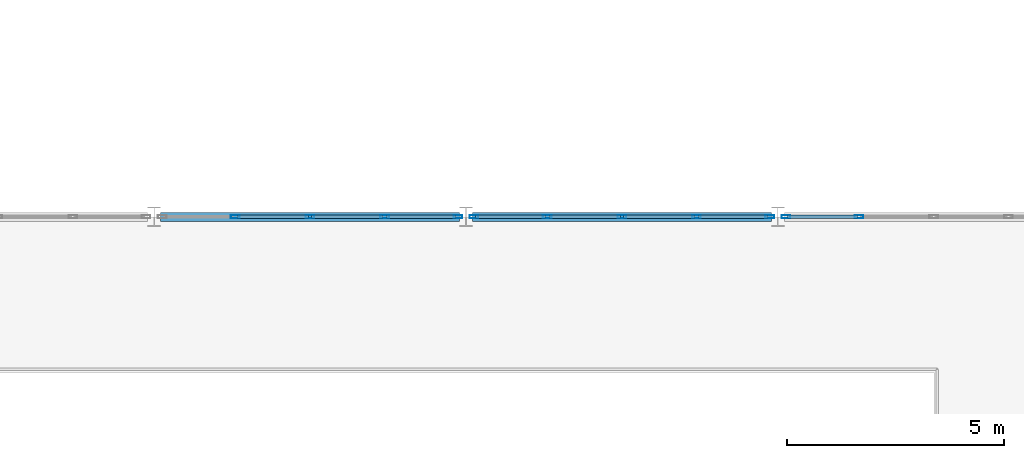
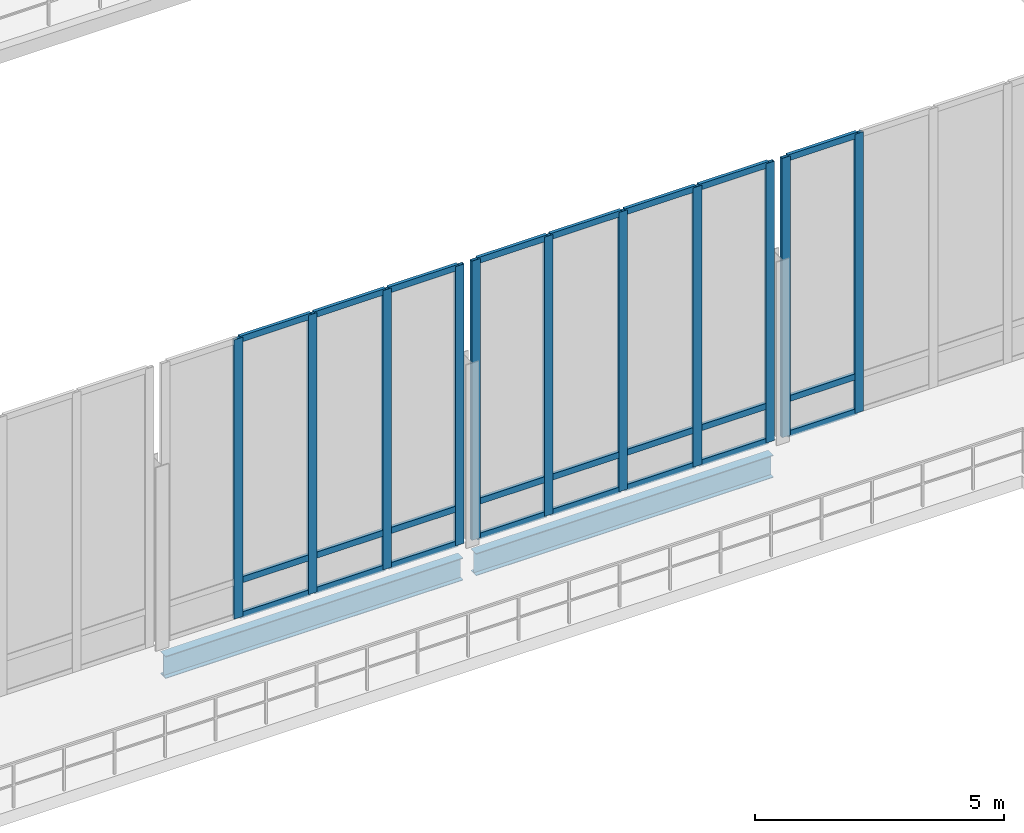
# One storey, part 38 of 110: 35 members, 2 beams, 3 elements without a shape of their own.
"""IFC4 building model written with IfcOpenShell, lengths in metres."""

from ifc_helpers import new_model, si_unit, direction, frame, origin, origin_2d, place, context, subcontext, project, spatial, hollow_rectangle, i_section, extrude, material, material_profile, profile_set, type_object, element, aggregate, save


model = new_model("IFC4")

# Units and contexts
model_context = context("Model", 3, precision=1e-05, world=origin(), true_north=direction((0.0, 1.0)))
body_context = subcontext(model_context, "Body", "Model", "MODEL_VIEW")
ifc_project = project(units=[si_unit("LENGTHUNIT", "METRE"), si_unit("AREAUNIT", "SQUARE_METRE"), si_unit("VOLUMEUNIT", "CUBIC_METRE"), si_unit("PLANEANGLEUNIT", "RADIAN"), si_unit("MASSUNIT", "GRAM", prefix="KILO")], contexts=[model_context])

# Site, building, storey
site_placement = place(None, origin())
site = spatial("IfcSite", under=ifc_project, at=site_placement, CompositionType="ELEMENT")
building_placement = place(site_placement, origin())
building = spatial("IfcBuilding", under=site, at=building_placement, Name="Suanplinth Sawtooth Commons", CompositionType="ELEMENT")
storey_placement = place(building_placement, frame((0.0, 0.0, 4.5)))
storey = spatial("IfcBuildingStorey", under=building, at=storey_placement, Name="L01", CompositionType="ELEMENT", Elevation=4.5)

# Beams
ifc_material_1 = material(Name="Steel S355JR", Category="steel")
ifc_material_profile_1 = material_profile(ifc_material_1, i_section(OverallWidth=0.2099609375, OverallDepth=0.550048828125, WebThickness=0.010986328125, FlangeThickness=0.01708984375, at=origin_2d()), Name="IPE 550")
ifc_profile_set_1 = profile_set([ifc_material_profile_1], Name="Steel S355JR")
beam_type = type_object("IfcBeamType", Name="B-10", PredefinedType="USERDEFINED", material=ifc_profile_set_1)
beam_1_placement = place(storey_placement, frame((93.75, 86.39990234375, -0.574951171875), z_axis=(1.0, 0.0, 0.0), x_axis=(0.0, 1.0, 0.0)))
element("IfcBeam", 1, at=beam_1_placement, inside=storey, type_object=beam_type, Name="BMX-L01-HALL-13-12", ObjectType="GIRDER", PredefinedType="USERDEFINED", context=body_context, shape_type="SweptSolid", body=[
    extrude(i_section(OverallWidth=0.2099609375, OverallDepth=0.550048828125, WebThickness=0.010986328125, FlangeThickness=0.01708984375, at=origin_2d()), origin(), (0.0, 0.0, 1.0), 6.89990234375),
])
beam_2_placement = place(storey_placement, frame((100.949951171875, 86.39990234375, -0.574951171875), z_axis=(1.0, 0.0, 0.0), x_axis=(0.0, 1.0, 0.0)))
element("IfcBeam", 2, at=beam_2_placement, inside=storey, type_object=beam_type, Name="BMX-L01-HALL-14-12", ObjectType="GIRDER", PredefinedType="USERDEFINED", context=body_context, shape_type="SweptSolid", body=[
    extrude(i_section(OverallWidth=0.2099609375, OverallDepth=0.550048828125, WebThickness=0.010986328125, FlangeThickness=0.01708984375, at=origin_2d()), origin(), (0.0, 0.0, 1.0), 6.900146484375),
])

# Curtain wall, members
ifc_material_2 = material(Name="Anodized aluminium and low-E glazing", Category="aluminium")
curtain_wall_type = type_object("IfcCurtainWallType", Name="CW-01", PredefinedType="USERDEFINED", material=ifc_material_2)
curtain_wall_1_placement = place(storey_placement, origin())
curtain_wall_1 = element("IfcCurtainWall", 3, at=curtain_wall_1_placement, inside=storey, type_object=curtain_wall_type, Name="Curtain Wall CW-L01-HALL-N-4", ObjectType="CURTAIN WALL", PredefinedType="USERDEFINED")
ifc_material_3 = material(Name="Anodized aluminium 6063-T6", Category="aluminium")
ifc_material_profile_2 = material_profile(ifc_material_3, hollow_rectangle(XDim=0.074951171875, YDim=0.199951171875, WallThickness=0.0048828125, at=origin_2d()), Name="ALU-MUL 75x200")
ifc_profile_set_2 = profile_set([ifc_material_profile_2], Name="Anodized aluminium 6063-T6")
member_type_1 = type_object("IfcMemberType", Name="M-14", PredefinedType="MULLION", material=ifc_profile_set_2)
member_1_placement = place(storey_placement, frame((95.47509765625, 86.39990234375, 0.0), z_axis=(0.0, 0.0, 1.0), x_axis=(0.0, 1.0, 0.0)))
member_1 = element("IfcMember", 4, at=member_1_placement, type_object=member_type_1, Name="CW-01 mullion 2", PredefinedType="MULLION", context=body_context, shape_type="SweptSolid", body=[
    extrude(hollow_rectangle(XDim=0.074951171875, YDim=0.199951171875, WallThickness=0.0048828125, at=origin_2d()), origin(), (0.0, 0.0, 1.0), 6.85009765625),
])
member_2_placement = place(storey_placement, frame((97.199951171875, 86.39990234375, 0.0), z_axis=(0.0, 0.0, 1.0), x_axis=(0.0, 1.0, 0.0)))
member_2 = element("IfcMember", 5, at=member_2_placement, type_object=member_type_1, Name="CW-01 mullion 3", PredefinedType="MULLION", context=body_context, shape_type="SweptSolid", body=[
    extrude(hollow_rectangle(XDim=0.074951171875, YDim=0.199951171875, WallThickness=0.0048828125, at=origin_2d()), origin(), (0.0, 0.0, 1.0), 6.85009765625),
])
member_3_placement = place(storey_placement, frame((98.925048828125, 86.39990234375, 0.0), z_axis=(0.0, 0.0, 1.0), x_axis=(0.0, 1.0, 0.0)))
member_3 = element("IfcMember", 6, at=member_3_placement, type_object=member_type_1, Name="CW-01 mullion 4", PredefinedType="MULLION", context=body_context, shape_type="SweptSolid", body=[
    extrude(hollow_rectangle(XDim=0.074951171875, YDim=0.199951171875, WallThickness=0.0048828125, at=origin_2d()), origin(), (0.0, 0.0, 1.0), 6.85009765625),
])
member_4_placement = place(storey_placement, frame((100.612548828125, 86.39990234375, 0.0), z_axis=(0.0, 0.0, 1.0), x_axis=(0.0, 1.0, 0.0)))
member_4 = element("IfcMember", 7, at=member_4_placement, type_object=member_type_1, Name="CW-01 mullion 5", PredefinedType="MULLION", context=body_context, shape_type="SweptSolid", body=[
    extrude(hollow_rectangle(XDim=0.074951171875, YDim=0.199951171875, WallThickness=0.0048828125, at=origin_2d()), origin(), (0.0, 0.0, 1.0), 6.85009765625),
])

curtain_wall_2_placement = place(storey_placement, origin())
curtain_wall_2 = element("IfcCurtainWall", 8, at=curtain_wall_2_placement, inside=storey, type_object=curtain_wall_type, Name="Curtain Wall CW-L01-HALL-N-5", ObjectType="CURTAIN WALL", PredefinedType="USERDEFINED")
member_5_placement = place(storey_placement, frame((100.987548828125, 86.39990234375, 0.0), z_axis=(0.0, 0.0, 1.0), x_axis=(0.0, 1.0, 0.0)))
member_5 = element("IfcMember", 9, at=member_5_placement, type_object=member_type_1, Name="CW-01 mullion 1", PredefinedType="MULLION", context=body_context, shape_type="SweptSolid", body=[
    extrude(hollow_rectangle(XDim=0.074951171875, YDim=0.199951171875, WallThickness=0.0048828125, at=origin_2d()), origin(), (0.0, 0.0, 1.0), 6.85009765625),
])
member_6_placement = place(storey_placement, frame((102.675048828125, 86.39990234375, 0.0), z_axis=(0.0, 0.0, 1.0), x_axis=(0.0, 1.0, 0.0)))
member_6 = element("IfcMember", 10, at=member_6_placement, type_object=member_type_1, Name="CW-01 mullion 2", PredefinedType="MULLION", context=body_context, shape_type="SweptSolid", body=[
    extrude(hollow_rectangle(XDim=0.074951171875, YDim=0.199951171875, WallThickness=0.0048828125, at=origin_2d()), origin(), (0.0, 0.0, 1.0), 6.85009765625),
])
member_7_placement = place(storey_placement, frame((104.39990234375, 86.39990234375, 0.0), z_axis=(0.0, 0.0, 1.0), x_axis=(0.0, 1.0, 0.0)))
member_7 = element("IfcMember", 11, at=member_7_placement, type_object=member_type_1, Name="CW-01 mullion 3", PredefinedType="MULLION", context=body_context, shape_type="SweptSolid", body=[
    extrude(hollow_rectangle(XDim=0.074951171875, YDim=0.199951171875, WallThickness=0.0048828125, at=origin_2d()), origin(), (0.0, 0.0, 1.0), 6.85009765625),
])
member_8_placement = place(storey_placement, frame((106.125, 86.39990234375, 0.0), z_axis=(0.0, 0.0, 1.0), x_axis=(0.0, 1.0, 0.0)))
member_8 = element("IfcMember", 12, at=member_8_placement, type_object=member_type_1, Name="CW-01 mullion 4", PredefinedType="MULLION", context=body_context, shape_type="SweptSolid", body=[
    extrude(hollow_rectangle(XDim=0.074951171875, YDim=0.199951171875, WallThickness=0.0048828125, at=origin_2d()), origin(), (0.0, 0.0, 1.0), 6.85009765625),
])
member_9_placement = place(storey_placement, frame((107.8125, 86.39990234375, 0.0), z_axis=(0.0, 0.0, 1.0), x_axis=(0.0, 1.0, 0.0)))
member_9 = element("IfcMember", 13, at=member_9_placement, type_object=member_type_1, Name="CW-01 mullion 5", PredefinedType="MULLION", context=body_context, shape_type="SweptSolid", body=[
    extrude(hollow_rectangle(XDim=0.074951171875, YDim=0.199951171875, WallThickness=0.0048828125, at=origin_2d()), origin(), (0.0, 0.0, 1.0), 6.85009765625),
])

curtain_wall_3_placement = place(storey_placement, origin())
curtain_wall_3 = element("IfcCurtainWall", 14, at=curtain_wall_3_placement, inside=storey, type_object=curtain_wall_type, Name="Curtain Wall CW-L01-HALL-N-6", ObjectType="CURTAIN WALL", PredefinedType="USERDEFINED")
member_10_placement = place(storey_placement, frame((108.1875, 86.39990234375, 0.0), z_axis=(0.0, 0.0, 1.0), x_axis=(0.0, 1.0, 0.0)))
member_10 = element("IfcMember", 15, at=member_10_placement, type_object=member_type_1, Name="CW-01 mullion 1", PredefinedType="MULLION", context=body_context, shape_type="SweptSolid", body=[
    extrude(hollow_rectangle(XDim=0.074951171875, YDim=0.199951171875, WallThickness=0.0048828125, at=origin_2d()), origin(), (0.0, 0.0, 1.0), 6.85009765625),
])
member_11_placement = place(storey_placement, frame((109.875, 86.39990234375, 0.0), z_axis=(0.0, 0.0, 1.0), x_axis=(0.0, 1.0, 0.0)))
member_11 = element("IfcMember", 16, at=member_11_placement, type_object=member_type_1, Name="CW-01 mullion 2", PredefinedType="MULLION", context=body_context, shape_type="SweptSolid", body=[
    extrude(hollow_rectangle(XDim=0.074951171875, YDim=0.199951171875, WallThickness=0.0048828125, at=origin_2d()), origin(), (0.0, 0.0, 1.0), 6.85009765625),
])

# Member
ifc_material_profile_3 = material_profile(ifc_material_3, hollow_rectangle(XDim=0.074951171875, YDim=0.14990234375, WallThickness=0.00439453125, at=origin_2d()), Name="ALU-TRN 75x150")
ifc_profile_set_3 = profile_set([ifc_material_profile_3], Name="Anodized aluminium 6063-T6")
member_type_2 = type_object("IfcMemberType", Name="M-16", PredefinedType="USERDEFINED", material=ifc_profile_set_3)
member_12_placement = place(storey_placement, frame((95.512451171875, 86.39990234375, 0.03759765625), z_axis=(1.0, 0.0, 0.0), x_axis=(0.0, 1.0, 0.0)))
member_12 = element("IfcMember", 17, at=member_12_placement, type_object=member_type_2, Name="CW-01 transom 2.1", ObjectType="TRANSOM", PredefinedType="USERDEFINED", context=body_context, shape_type="SweptSolid", body=[
    extrude(hollow_rectangle(XDim=0.074951171875, YDim=0.14990234375, WallThickness=0.00439453125, at=origin_2d()), origin(), (0.0, 0.0, 1.0), 1.650146484375),
])

member_13_placement = place(storey_placement, frame((95.512451171875, 86.39990234375, 0.89990234375), z_axis=(1.0, 0.0, 0.0), x_axis=(0.0, 1.0, 0.0)))
member_13 = element("IfcMember", 18, at=member_13_placement, type_object=member_type_2, Name="CW-01 transom 2.2", ObjectType="TRANSOM", PredefinedType="USERDEFINED", context=body_context, shape_type="SweptSolid", body=[
    extrude(hollow_rectangle(XDim=0.074951171875, YDim=0.14990234375, WallThickness=0.00439453125, at=origin_2d()), origin(), (0.0, 0.0, 1.0), 1.650146484375),
])

member_14_placement = place(storey_placement, frame((95.512451171875, 86.39990234375, 6.8125), z_axis=(1.0, 0.0, 0.0), x_axis=(0.0, 1.0, 0.0)))
member_14 = element("IfcMember", 19, at=member_14_placement, type_object=member_type_2, Name="CW-01 transom 2.3", ObjectType="TRANSOM", PredefinedType="USERDEFINED", context=body_context, shape_type="SweptSolid", body=[
    extrude(hollow_rectangle(XDim=0.074951171875, YDim=0.14990234375, WallThickness=0.00439453125, at=origin_2d()), origin(), (0.0, 0.0, 1.0), 1.650146484375),
])

member_15_placement = place(storey_placement, frame((97.237548828125, 86.39990234375, 0.03759765625), z_axis=(1.0, 0.0, 0.0), x_axis=(0.0, 1.0, 0.0)))
member_15 = element("IfcMember", 20, at=member_15_placement, type_object=member_type_2, Name="CW-01 transom 3.1", ObjectType="TRANSOM", PredefinedType="USERDEFINED", context=body_context, shape_type="SweptSolid", body=[
    extrude(hollow_rectangle(XDim=0.074951171875, YDim=0.14990234375, WallThickness=0.00439453125, at=origin_2d()), origin(), (0.0, 0.0, 1.0), 1.64990234375),
])

member_16_placement = place(storey_placement, frame((97.237548828125, 86.39990234375, 0.89990234375), z_axis=(1.0, 0.0, 0.0), x_axis=(0.0, 1.0, 0.0)))
member_16 = element("IfcMember", 21, at=member_16_placement, type_object=member_type_2, Name="CW-01 transom 3.2", ObjectType="TRANSOM", PredefinedType="USERDEFINED", context=body_context, shape_type="SweptSolid", body=[
    extrude(hollow_rectangle(XDim=0.074951171875, YDim=0.14990234375, WallThickness=0.00439453125, at=origin_2d()), origin(), (0.0, 0.0, 1.0), 1.64990234375),
])

member_17_placement = place(storey_placement, frame((97.237548828125, 86.39990234375, 6.8125), z_axis=(1.0, 0.0, 0.0), x_axis=(0.0, 1.0, 0.0)))
member_17 = element("IfcMember", 22, at=member_17_placement, type_object=member_type_2, Name="CW-01 transom 3.3", ObjectType="TRANSOM", PredefinedType="USERDEFINED", context=body_context, shape_type="SweptSolid", body=[
    extrude(hollow_rectangle(XDim=0.074951171875, YDim=0.14990234375, WallThickness=0.00439453125, at=origin_2d()), origin(), (0.0, 0.0, 1.0), 1.64990234375),
])

member_18_placement = place(storey_placement, frame((98.96240234375, 86.39990234375, 0.03759765625), z_axis=(1.0, 0.0, 0.0), x_axis=(0.0, 1.0, 0.0)))
member_18 = element("IfcMember", 23, at=member_18_placement, type_object=member_type_2, Name="CW-01 transom 4.1", ObjectType="TRANSOM", PredefinedType="USERDEFINED", context=body_context, shape_type="SweptSolid", body=[
    extrude(hollow_rectangle(XDim=0.074951171875, YDim=0.14990234375, WallThickness=0.00439453125, at=origin_2d()), origin(), (0.0, 0.0, 1.0), 1.612548828125),
])

member_19_placement = place(storey_placement, frame((98.96240234375, 86.39990234375, 0.89990234375), z_axis=(1.0, 0.0, 0.0), x_axis=(0.0, 1.0, 0.0)))
member_19 = element("IfcMember", 24, at=member_19_placement, type_object=member_type_2, Name="CW-01 transom 4.2", ObjectType="TRANSOM", PredefinedType="USERDEFINED", context=body_context, shape_type="SweptSolid", body=[
    extrude(hollow_rectangle(XDim=0.074951171875, YDim=0.14990234375, WallThickness=0.00439453125, at=origin_2d()), origin(), (0.0, 0.0, 1.0), 1.612548828125),
])

member_20_placement = place(storey_placement, frame((98.96240234375, 86.39990234375, 6.8125), z_axis=(1.0, 0.0, 0.0), x_axis=(0.0, 1.0, 0.0)))
member_20 = element("IfcMember", 25, at=member_20_placement, type_object=member_type_2, Name="CW-01 transom 4.3", ObjectType="TRANSOM", PredefinedType="USERDEFINED", context=body_context, shape_type="SweptSolid", body=[
    extrude(hollow_rectangle(XDim=0.074951171875, YDim=0.14990234375, WallThickness=0.00439453125, at=origin_2d()), origin(), (0.0, 0.0, 1.0), 1.612548828125),
])

aggregate(curtain_wall_1, [member_1, member_2, member_3, member_4, member_12, member_13, member_14, member_15, member_16, member_17, member_18, member_19, member_20])

member_21_placement = place(storey_placement, frame((101.02490234375, 86.39990234375, 0.03759765625), z_axis=(1.0, 0.0, 0.0), x_axis=(0.0, 1.0, 0.0)))
member_21 = element("IfcMember", 26, at=member_21_placement, type_object=member_type_2, Name="CW-01 transom 1.1", ObjectType="TRANSOM", PredefinedType="USERDEFINED", context=body_context, shape_type="SweptSolid", body=[
    extrude(hollow_rectangle(XDim=0.074951171875, YDim=0.14990234375, WallThickness=0.00439453125, at=origin_2d()), origin(), (0.0, 0.0, 1.0), 1.612548828125),
])

member_22_placement = place(storey_placement, frame((101.02490234375, 86.39990234375, 0.89990234375), z_axis=(1.0, 0.0, 0.0), x_axis=(0.0, 1.0, 0.0)))
member_22 = element("IfcMember", 27, at=member_22_placement, type_object=member_type_2, Name="CW-01 transom 1.2", ObjectType="TRANSOM", PredefinedType="USERDEFINED", context=body_context, shape_type="SweptSolid", body=[
    extrude(hollow_rectangle(XDim=0.074951171875, YDim=0.14990234375, WallThickness=0.00439453125, at=origin_2d()), origin(), (0.0, 0.0, 1.0), 1.612548828125),
])

member_23_placement = place(storey_placement, frame((101.02490234375, 86.39990234375, 6.8125), z_axis=(1.0, 0.0, 0.0), x_axis=(0.0, 1.0, 0.0)))
member_23 = element("IfcMember", 28, at=member_23_placement, type_object=member_type_2, Name="CW-01 transom 1.3", ObjectType="TRANSOM", PredefinedType="USERDEFINED", context=body_context, shape_type="SweptSolid", body=[
    extrude(hollow_rectangle(XDim=0.074951171875, YDim=0.14990234375, WallThickness=0.00439453125, at=origin_2d()), origin(), (0.0, 0.0, 1.0), 1.612548828125),
])

member_24_placement = place(storey_placement, frame((102.71240234375, 86.39990234375, 0.03759765625), z_axis=(1.0, 0.0, 0.0), x_axis=(0.0, 1.0, 0.0)))
member_24 = element("IfcMember", 29, at=member_24_placement, type_object=member_type_2, Name="CW-01 transom 2.1", ObjectType="TRANSOM", PredefinedType="USERDEFINED", context=body_context, shape_type="SweptSolid", body=[
    extrude(hollow_rectangle(XDim=0.074951171875, YDim=0.14990234375, WallThickness=0.00439453125, at=origin_2d()), origin(), (0.0, 0.0, 1.0), 1.650146484375),
])

member_25_placement = place(storey_placement, frame((102.71240234375, 86.39990234375, 0.89990234375), z_axis=(1.0, 0.0, 0.0), x_axis=(0.0, 1.0, 0.0)))
member_25 = element("IfcMember", 30, at=member_25_placement, type_object=member_type_2, Name="CW-01 transom 2.2", ObjectType="TRANSOM", PredefinedType="USERDEFINED", context=body_context, shape_type="SweptSolid", body=[
    extrude(hollow_rectangle(XDim=0.074951171875, YDim=0.14990234375, WallThickness=0.00439453125, at=origin_2d()), origin(), (0.0, 0.0, 1.0), 1.650146484375),
])

member_26_placement = place(storey_placement, frame((102.71240234375, 86.39990234375, 6.8125), z_axis=(1.0, 0.0, 0.0), x_axis=(0.0, 1.0, 0.0)))
member_26 = element("IfcMember", 31, at=member_26_placement, type_object=member_type_2, Name="CW-01 transom 2.3", ObjectType="TRANSOM", PredefinedType="USERDEFINED", context=body_context, shape_type="SweptSolid", body=[
    extrude(hollow_rectangle(XDim=0.074951171875, YDim=0.14990234375, WallThickness=0.00439453125, at=origin_2d()), origin(), (0.0, 0.0, 1.0), 1.650146484375),
])

member_27_placement = place(storey_placement, frame((104.4375, 86.39990234375, 0.03759765625), z_axis=(1.0, 0.0, 0.0), x_axis=(0.0, 1.0, 0.0)))
member_27 = element("IfcMember", 32, at=member_27_placement, type_object=member_type_2, Name="CW-01 transom 3.1", ObjectType="TRANSOM", PredefinedType="USERDEFINED", context=body_context, shape_type="SweptSolid", body=[
    extrude(hollow_rectangle(XDim=0.074951171875, YDim=0.14990234375, WallThickness=0.00439453125, at=origin_2d()), origin(), (0.0, 0.0, 1.0), 1.64990234375),
])

member_28_placement = place(storey_placement, frame((104.4375, 86.39990234375, 0.89990234375), z_axis=(1.0, 0.0, 0.0), x_axis=(0.0, 1.0, 0.0)))
member_28 = element("IfcMember", 33, at=member_28_placement, type_object=member_type_2, Name="CW-01 transom 3.2", ObjectType="TRANSOM", PredefinedType="USERDEFINED", context=body_context, shape_type="SweptSolid", body=[
    extrude(hollow_rectangle(XDim=0.074951171875, YDim=0.14990234375, WallThickness=0.00439453125, at=origin_2d()), origin(), (0.0, 0.0, 1.0), 1.64990234375),
])

member_29_placement = place(storey_placement, frame((104.4375, 86.39990234375, 6.8125), z_axis=(1.0, 0.0, 0.0), x_axis=(0.0, 1.0, 0.0)))
member_29 = element("IfcMember", 34, at=member_29_placement, type_object=member_type_2, Name="CW-01 transom 3.3", ObjectType="TRANSOM", PredefinedType="USERDEFINED", context=body_context, shape_type="SweptSolid", body=[
    extrude(hollow_rectangle(XDim=0.074951171875, YDim=0.14990234375, WallThickness=0.00439453125, at=origin_2d()), origin(), (0.0, 0.0, 1.0), 1.64990234375),
])

member_30_placement = place(storey_placement, frame((106.16259765625, 86.39990234375, 0.03759765625), z_axis=(1.0, 0.0, 0.0), x_axis=(0.0, 1.0, 0.0)))
member_30 = element("IfcMember", 35, at=member_30_placement, type_object=member_type_2, Name="CW-01 transom 4.1", ObjectType="TRANSOM", PredefinedType="USERDEFINED", context=body_context, shape_type="SweptSolid", body=[
    extrude(hollow_rectangle(XDim=0.074951171875, YDim=0.14990234375, WallThickness=0.00439453125, at=origin_2d()), origin(), (0.0, 0.0, 1.0), 1.6123046875),
])

member_31_placement = place(storey_placement, frame((106.16259765625, 86.39990234375, 0.89990234375), z_axis=(1.0, 0.0, 0.0), x_axis=(0.0, 1.0, 0.0)))
member_31 = element("IfcMember", 36, at=member_31_placement, type_object=member_type_2, Name="CW-01 transom 4.2", ObjectType="TRANSOM", PredefinedType="USERDEFINED", context=body_context, shape_type="SweptSolid", body=[
    extrude(hollow_rectangle(XDim=0.074951171875, YDim=0.14990234375, WallThickness=0.00439453125, at=origin_2d()), origin(), (0.0, 0.0, 1.0), 1.6123046875),
])

member_32_placement = place(storey_placement, frame((106.16259765625, 86.39990234375, 6.8125), z_axis=(1.0, 0.0, 0.0), x_axis=(0.0, 1.0, 0.0)))
member_32 = element("IfcMember", 37, at=member_32_placement, type_object=member_type_2, Name="CW-01 transom 4.3", ObjectType="TRANSOM", PredefinedType="USERDEFINED", context=body_context, shape_type="SweptSolid", body=[
    extrude(hollow_rectangle(XDim=0.074951171875, YDim=0.14990234375, WallThickness=0.00439453125, at=origin_2d()), origin(), (0.0, 0.0, 1.0), 1.6123046875),
])

aggregate(curtain_wall_2, [member_5, member_6, member_7, member_8, member_9, member_21, member_22, member_23, member_24, member_25, member_26, member_27, member_28, member_29, member_30, member_31, member_32])

member_33_placement = place(storey_placement, frame((108.22509765625, 86.39990234375, 0.03759765625), z_axis=(1.0, 0.0, 0.0), x_axis=(0.0, 1.0, 0.0)))
member_33 = element("IfcMember", 38, at=member_33_placement, type_object=member_type_2, Name="CW-01 transom 1.1", ObjectType="TRANSOM", PredefinedType="USERDEFINED", context=body_context, shape_type="SweptSolid", body=[
    extrude(hollow_rectangle(XDim=0.074951171875, YDim=0.14990234375, WallThickness=0.00439453125, at=origin_2d()), origin(), (0.0, 0.0, 1.0), 1.6123046875),
])

member_34_placement = place(storey_placement, frame((108.22509765625, 86.39990234375, 0.89990234375), z_axis=(1.0, 0.0, 0.0), x_axis=(0.0, 1.0, 0.0)))
member_34 = element("IfcMember", 39, at=member_34_placement, type_object=member_type_2, Name="CW-01 transom 1.2", ObjectType="TRANSOM", PredefinedType="USERDEFINED", context=body_context, shape_type="SweptSolid", body=[
    extrude(hollow_rectangle(XDim=0.074951171875, YDim=0.14990234375, WallThickness=0.00439453125, at=origin_2d()), origin(), (0.0, 0.0, 1.0), 1.6123046875),
])

member_35_placement = place(storey_placement, frame((108.22509765625, 86.39990234375, 6.8125), z_axis=(1.0, 0.0, 0.0), x_axis=(0.0, 1.0, 0.0)))
member_35 = element("IfcMember", 40, at=member_35_placement, type_object=member_type_2, Name="CW-01 transom 1.3", ObjectType="TRANSOM", PredefinedType="USERDEFINED", context=body_context, shape_type="SweptSolid", body=[
    extrude(hollow_rectangle(XDim=0.074951171875, YDim=0.14990234375, WallThickness=0.00439453125, at=origin_2d()), origin(), (0.0, 0.0, 1.0), 1.6123046875),
])

aggregate(curtain_wall_3, [member_10, member_11, member_33, member_34, member_35])

save(model, "model.ifc")
